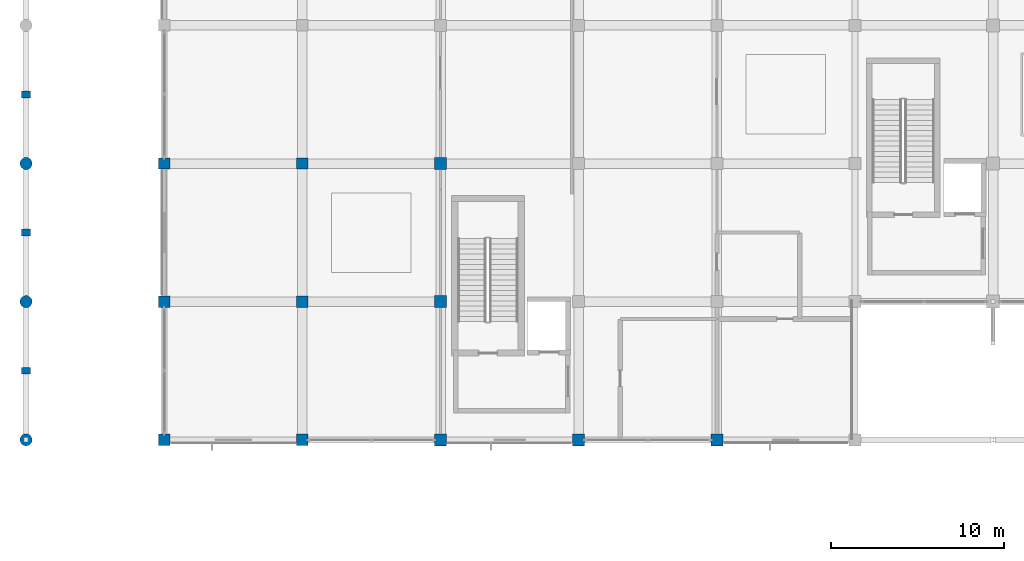
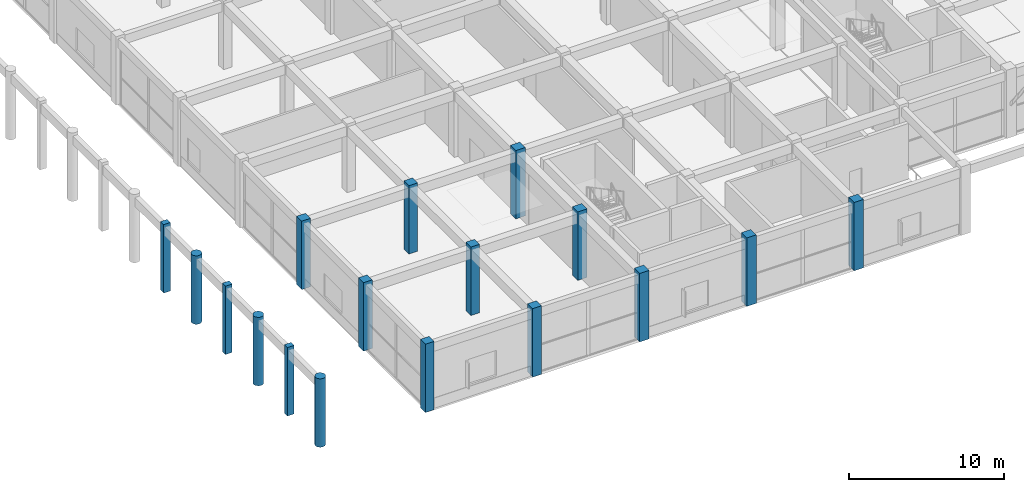
# One storey, part 1 of 69: 17 columns.
"""IFC4 building model written with IfcOpenShell, lengths in metres."""

from ifc_helpers import new_model, si_unit, direction, frame, origin, origin_2d, place, context, subcontext, project, spatial, rectangle, circle, extrude, material, material_profile, profile_set, type_object, element, save


model = new_model("IFC4")

# Units and contexts
model_context = context("Model", 3, precision=1e-05, world=origin(), true_north=direction((0.0, 1.0)))
body_context = subcontext(model_context, "Body", "Model", "MODEL_VIEW")
ifc_project = project(units=[si_unit("LENGTHUNIT", "METRE"), si_unit("AREAUNIT", "SQUARE_METRE"), si_unit("VOLUMEUNIT", "CUBIC_METRE"), si_unit("PLANEANGLEUNIT", "RADIAN"), si_unit("MASSUNIT", "GRAM", prefix="KILO")], contexts=[model_context])

# Site, building, storey
site_placement = place(None, origin())
site = spatial("IfcSite", under=ifc_project, at=site_placement, CompositionType="ELEMENT")
building_placement = place(site_placement, origin())
building = spatial("IfcBuilding", under=site, at=building_placement, Name="Kenh Van Central Station", CompositionType="ELEMENT")
storey_placement = place(building_placement, frame((0.0, 0.0, 5.39990234375)))
storey = spatial("IfcBuildingStorey", under=building, at=storey_placement, Name="L01", CompositionType="ELEMENT", Elevation=5.39990234375)

# Columns
ifc_material_1 = material(Name="Concrete C35/45", Category="concrete")
ifc_material_profile_1 = material_profile(ifc_material_1, rectangle(XDim=0.64990234375, YDim=0.64990234375, at=origin_2d()), Name="RC 650x650")
ifc_profile_set_1 = profile_set([ifc_material_profile_1], Name="Concrete C35/45")
column_type_1 = type_object("IfcColumnType", Name="COL-RC-650x650", PredefinedType="COLUMN", material=ifc_profile_set_1)
for number, where, z_axis, x_axis, name in (
    (1, (8.0, 8.0, 0.0), (0.0, 0.0, 1.0), (1.0, 0.0, 0.0), "L01 column CW-008-008"),
    (2, (8.0, 16.0, 0.0), (0.0, 0.0, 1.0), (1.0, 0.0, 0.0), "L01 column CW-008-016"),
    (3, (8.0, 24.0, 0.0), (0.0, 0.0, 1.0), (1.0, 0.0, 0.0), "L01 column CW-008-024"),
    (4, (16.0, 8.0, 0.0), (0.0, 0.0, 1.0), (1.0, 0.0, 0.0), "L01 column CW-016-008"),
    (5, (16.0, 16.0, 0.0), (0.0, 0.0, 1.0), (1.0, 0.0, 0.0), "L01 column CW-016-016"),
    (6, (16.0, 24.0, 0.0), (0.0, 0.0, 1.0), (1.0, 0.0, 0.0), "L01 column CW-016-024"),
):
    element("IfcColumn", number, at=place(storey_placement, frame(where, z_axis=z_axis, x_axis=x_axis)), inside=storey, type_object=column_type_1, Name=name, PredefinedType="COLUMN", context=body_context, shape_type="SweptSolid", body=[
        extrude(rectangle(XDim=0.64990234375, YDim=0.64990234375, at=origin_2d()), origin(), (0.0, 0.0, 1.0), 5.400146484375),
    ])
ifc_material_2 = material(Name="Concrete C40/50", Category="concrete")
ifc_material_profile_2 = material_profile(ifc_material_2, rectangle(XDim=0.699951171875, YDim=0.699951171875, at=origin_2d()), Name="RC 700x700")
ifc_profile_set_2 = profile_set([ifc_material_profile_2], Name="Concrete C40/50")
column_type_2 = type_object("IfcColumnType", Name="COL-RC-700x700", PredefinedType="COLUMN", material=ifc_profile_set_2)
for number, where, z_axis, x_axis, name in (
    (7, (24.0, 8.0, 0.0), (0.0, 0.0, 1.0), (1.0, 0.0, 0.0), "L01 column CW-024-008"),
    (8, (24.0, 16.0, 0.0), (0.0, 0.0, 1.0), (1.0, 0.0, 0.0), "L01 column CW-024-016"),
    (9, (24.0, 24.0, 0.0), (0.0, 0.0, 1.0), (1.0, 0.0, 0.0), "L01 column CW-024-024"),
    (10, (32.0, 8.0, 0.0), (0.0, 0.0, 1.0), (1.0, 0.0, 0.0), "L01 column CW-032-008"),
    (11, (40.0, 8.0, 0.0), (0.0, 0.0, 1.0), (1.0, 0.0, 0.0), "L01 column CW-040-008"),
):
    element("IfcColumn", number, at=place(storey_placement, frame(where, z_axis=z_axis, x_axis=x_axis)), inside=storey, type_object=column_type_2, Name=name, PredefinedType="COLUMN", context=body_context, shape_type="SweptSolid", body=[
        extrude(rectangle(XDim=0.699951171875, YDim=0.699951171875, at=origin_2d()), origin(), (0.0, 0.0, 1.0), 5.400146484375),
    ])
ifc_material_profile_3 = material_profile(ifc_material_2, circle(Radius=0.35009765625, at=origin_2d()), Name="RC D700")
ifc_profile_set_3 = profile_set([ifc_material_profile_3], Name="Concrete C40/50")
column_type_3 = type_object("IfcColumnType", Name="COL-RC-D700", PredefinedType="COLUMN", material=ifc_profile_set_3)
for number, where, z_axis, x_axis, name in (
    (12, (0.0, 8.0, 0.0), (0.0, 0.0, 1.0), (1.0, 0.0, 0.0), "L01 column CW-000-008"),
    (13, (0.0, 16.0, 0.0), (0.0, 0.0, 1.0), (1.0, 0.0, 0.0), "L01 column CW-000-016"),
    (14, (0.0, 24.0, 0.0), (0.0, 0.0, 1.0), (1.0, 0.0, 0.0), "L01 column CW-000-024"),
):
    element("IfcColumn", number, at=place(storey_placement, frame(where, z_axis=z_axis, x_axis=x_axis)), inside=storey, type_object=column_type_3, Name=name, PredefinedType="COLUMN", context=body_context, shape_type="SweptSolid", body=[
        extrude(circle(Radius=0.35009765625, at=origin_2d()), origin(), (0.0, 0.0, 1.0), 5.400146484375),
    ])
ifc_material_profile_4 = material_profile(ifc_material_1, rectangle(XDim=0.5, YDim=0.39990234375, at=origin_2d()), Name="RC 500x400")
ifc_profile_set_4 = profile_set([ifc_material_profile_4], Name="Concrete C35/45")
column_type_4 = type_object("IfcColumnType", Name="PIL-RC-500x400", PredefinedType="PILASTER", material=ifc_profile_set_4)
for number, where, z_axis, x_axis, name in (
    (15, (0.0, 12.0, 0.0), (0.0, 0.0, 1.0), (1.0, 0.0, 0.0), "L01 column PIL-W-00"),
    (16, (0.0, 20.0, 0.0), (0.0, 0.0, 1.0), (1.0, 0.0, 0.0), "L01 column PIL-W-01"),
    (17, (0.0, 28.0, 0.0), (0.0, 0.0, 1.0), (1.0, 0.0, 0.0), "L01 column PIL-W-02"),
):
    element("IfcColumn", number, at=place(storey_placement, frame(where, z_axis=z_axis, x_axis=x_axis)), inside=storey, type_object=column_type_4, Name=name, PredefinedType="PILASTER", context=body_context, shape_type="SweptSolid", body=[
        extrude(rectangle(XDim=0.5, YDim=0.39990234375, at=origin_2d()), origin(), (0.0, 0.0, 1.0), 5.400146484375),
    ])

save(model, "model.ifc")
